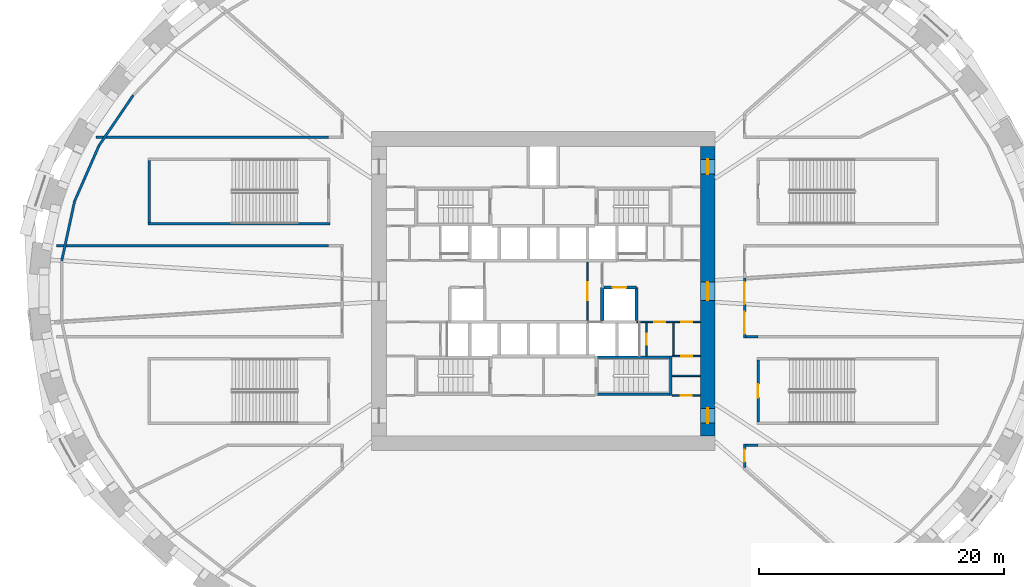
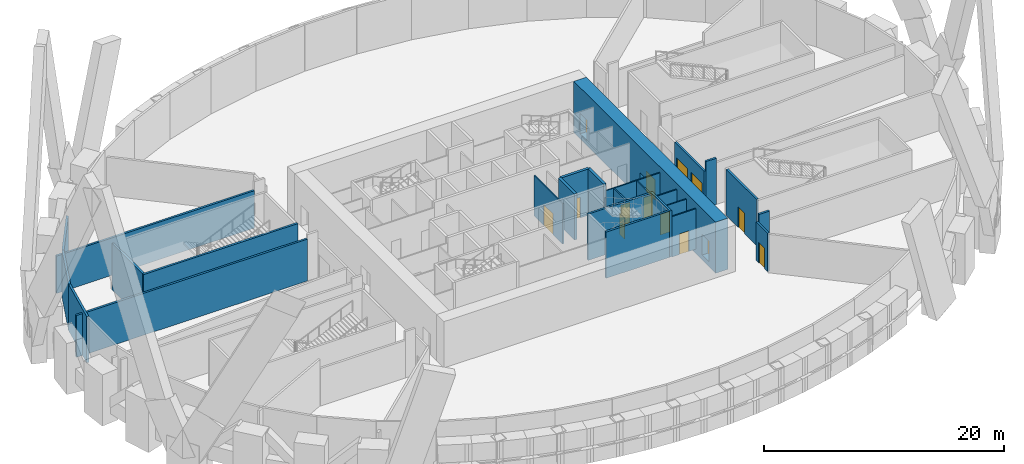
# One storey, part 8 of 16: 26 walls, 14 doors, 14 openings.
"""IFC4 building model written with IfcOpenShell, lengths in metres."""

import ifcopenshell
import ifcopenshell.guid

model = None  # the IFC model being written
_history = None  # IfcOwnerHistory: only IFC2X3 demands one
_inside = {}  # id of a spatial element -> (the spatial element, [elements in it])
_under = {}  # id of a project, library or spatial element -> (it, [spatial elements below it])
_declared = {}  # id of a project -> (the project, [libraries it declares])
_typed = {}  # id of a type object -> (the type object, [elements of that type])
_made_of = {}  # id of a material, layer set ... -> (it, [elements and type objects made of it])


def new_model(schema):
    """Start an empty IFC model of exactly this schema.

    Asked for "IFC4X3", IfcOpenShell would pick the latest addendum, in which some entities
    have other attributes; the version numbers below select the first issue.
    IFC2X3 requires an IfcOwnerHistory on every rooted entity: one is made here for all.
    """
    global model, _history
    if schema == "IFC4X3":
        model = ifcopenshell.file(schema_version=(4, 3, 0, 0))
    else:
        model = ifcopenshell.file(schema=schema)
    _inside.clear()
    _under.clear()
    _declared.clear()
    _typed.clear()
    _made_of.clear()
    _history = None
    if model.schema == "IFC2X3":
        org = make("IfcOrganization", Name="unknown")
        user = make(
            "IfcPersonAndOrganization",
            ThePerson=make("IfcPerson", FamilyName="unknown"),
            TheOrganization=org,
        )
        app = make(
            "IfcApplication",
            ApplicationDeveloper=org,
            Version="unknown",
            ApplicationFullName="unknown",
            ApplicationIdentifier="unknown",
        )
        _history = make(
            "IfcOwnerHistory",
            OwningUser=user,
            OwningApplication=app,
            ChangeAction="ADDED",
            CreationDate=0,
        )
    return model


def make(cls, **values):
    """One entity of the class cls with the attributes given. An attribute that is None is left unset."""
    return model.create_entity(
        cls, **{name: value for name, value in values.items() if value is not None}
    )


def rooted(cls, **values):
    """An entity with a GlobalId (a new one), such as an element, a storey or a relation."""
    return make(cls, GlobalId=ifcopenshell.guid.new(), OwnerHistory=_history, **values)


def si_unit(unit_type, name, prefix=None):
    """IfcSIUnit, for example si_unit("LENGTHUNIT", "METRE", prefix="MILLI")."""
    return make("IfcSIUnit", UnitType=unit_type, Prefix=prefix, Name=name)


def assignment(units):
    """IfcUnitAssignment: the units of a project."""
    return None if units is None else make("IfcUnitAssignment", Units=units)


def point(xyz):
    """IfcCartesianPoint."""
    return None if xyz is None else make("IfcCartesianPoint", Coordinates=xyz)


def direction(xyz):
    """IfcDirection."""
    return None if xyz is None else make("IfcDirection", DirectionRatios=xyz)


def frame(location, z_axis=None, x_axis=None):
    """IfcAxis2Placement3D, a coordinate frame: its origin and axes. An axis left out is left unset."""
    return make(
        "IfcAxis2Placement3D",
        Location=point(location),
        Axis=direction(z_axis),
        RefDirection=direction(x_axis),
    )


def frame_2d(location, x_axis=None):
    """IfcAxis2Placement2D, a coordinate frame in the plane: its origin and x axis."""
    return make(
        "IfcAxis2Placement2D", Location=point(location), RefDirection=direction(x_axis)
    )


def origin():
    """The frame at (0, 0, 0) with its axes left unset."""
    return frame((0.0, 0.0, 0.0))


def place(relative_to, where):
    """IfcLocalPlacement: puts the frame where relative to a parent placement (None: the world)."""
    return make(
        "IfcLocalPlacement", PlacementRelTo=relative_to, RelativePlacement=where
    )


def context(
    kind, dimensions, precision=None, world=None, true_north=None, identifier=None
):
    """IfcGeometricRepresentationContext, for example the 3D "Model" context."""
    return make(
        "IfcGeometricRepresentationContext",
        ContextIdentifier=identifier,
        ContextType=kind,
        CoordinateSpaceDimension=dimensions,
        Precision=precision,
        WorldCoordinateSystem=world,
        TrueNorth=true_north,
    )


def subcontext(parent, identifier, kind, view, scale=None):
    """IfcGeometricRepresentationSubContext, for example "Body" below "Model"."""
    return make(
        "IfcGeometricRepresentationSubContext",
        ContextIdentifier=identifier,
        ContextType=kind,
        ParentContext=parent,
        TargetScale=scale,
        TargetView=view,
    )


def project(units=None, contexts=None):
    """IfcProject with its units and contexts."""
    return rooted(
        "IfcProject",
        Name="project",
        RepresentationContexts=contexts,
        UnitsInContext=assignment(units),
    )


def spatial(cls, under=None, at=None, **own):
    """A site, building, storey or space (cls), placed at a placement, below another one or the project."""
    s = rooted(cls, ObjectPlacement=at, **own)
    if under is not None:
        _under.setdefault(under.id(), (under, []))[1].append(s)
    return s


def profile(cls, at=None, kind="AREA", **sizes):
    """A parametric profile (cls). Its sizes go by their IFC names, for example OverallWidth=200.0."""
    return make(cls, ProfileType=kind, Position=at, **sizes)


def rectangle(**sizes):
    """IfcRectangleProfileDef."""
    return profile("IfcRectangleProfileDef", **sizes)


def extrude(swept, where, along, depth):
    """IfcExtrudedAreaSolid: the profile swept, set in the frame where, extruded along a direction by depth."""
    return make(
        "IfcExtrudedAreaSolid",
        SweptArea=swept,
        Position=where,
        ExtrudedDirection=direction(along),
        Depth=depth,
    )


def shape(context_of_items, identifier, shape_type, items):
    """IfcShapeRepresentation: the items that make up one representation, for example the "Body"."""
    return make(
        "IfcShapeRepresentation",
        ContextOfItems=context_of_items,
        RepresentationIdentifier=identifier,
        RepresentationType=shape_type,
        Items=items,
    )


def source(mapping_origin, context_of_items, identifier, shape_type, items):
    """IfcRepresentationMap: a shape defined once, which mapped items show again and again."""
    return make(
        "IfcRepresentationMap",
        MappingOrigin=mapping_origin,
        MappedRepresentation=shape(context_of_items, identifier, shape_type, items),
    )


def transform(
    local_origin,
    x_axis=None,
    y_axis=None,
    z_axis=None,
    scale=None,
    scale2=None,
    scale3=None,
    uniform=True,
):
    """IfcCartesianTransformationOperator3D, or its non-uniform kind. x_axis, y_axis, z_axis: its Axis1, 2, 3."""
    if uniform:
        return make(
            "IfcCartesianTransformationOperator3D",
            Axis1=direction(x_axis),
            Axis2=direction(y_axis),
            LocalOrigin=point(local_origin),
            Scale=scale,
            Axis3=direction(z_axis),
        )
    return make(
        "IfcCartesianTransformationOperator3DnonUniform",
        Axis1=direction(x_axis),
        Axis2=direction(y_axis),
        LocalOrigin=point(local_origin),
        Scale=scale,
        Axis3=direction(z_axis),
        Scale2=scale2,
        Scale3=scale3,
    )


def mapped(mapping_source, mapping_target):
    """IfcMappedItem: shows the shape of a source again, moved by a transform."""
    return make(
        "IfcMappedItem", MappingSource=mapping_source, MappingTarget=mapping_target
    )


def material(Name=None, Category=None):
    """IfcMaterial."""
    return make("IfcMaterial", Name=Name, Category=Category)


def layer(
    of_material, thickness, ventilated=None, Name=None, Category=None, Priority=None
):
    """IfcMaterialLayer: one layer of a wall or slab, of a material (None: an air gap)."""
    return make(
        "IfcMaterialLayer",
        Material=of_material,
        LayerThickness=thickness,
        IsVentilated=ventilated,
        Name=Name,
        Category=Category,
        Priority=Priority,
    )


def layer_set(layers, Name=None):
    """IfcMaterialLayerSet."""
    return make("IfcMaterialLayerSet", MaterialLayers=layers, LayerSetName=Name)


def made_of(thing, what):
    """Note that an element or type object is made of a material, layer set ...; save() writes the relation."""
    if what is not None:
        _made_of.setdefault(what.id(), (what, []))[1].append(thing)
    return thing


def type_object(cls, material=None, **own):
    """A type object (cls), such as IfcWallType, which elements share."""
    return made_of(rooted(cls, **own), material)


def element(
    cls,
    number,
    at=None,
    inside=None,
    cuts=None,
    type_object=None,
    material=None,
    context=None,
    identifier="Body",
    shape_type=None,
    held_by="IfcProductDefinitionShape",
    body=None,
    shapes=None,
    **own,
):
    """One element of the class cls, such as IfcWall. Its Tag is "e" and its number.

    at: its placement. inside: the storey or other place that contains it. cuts: it is an
    opening in that element (IfcRelVoidsElement). A single representation is given by context,
    identifier, shape_type and body (its items); several are given by shapes. held_by: the class
    of the entity that holds the representations. save() writes the other relations.
    """
    e = rooted(cls, Tag="e%d" % number, ObjectPlacement=at, **own)
    if body is not None:
        shapes = [shape(context, identifier, shape_type, body)]
    if shapes is not None:
        e.Representation = make(held_by, Representations=shapes)
    if inside is not None:
        _inside.setdefault(inside.id(), (inside, []))[1].append(e)
    if cuts is not None:
        rooted(
            "IfcRelVoidsElement", RelatingBuildingElement=cuts, RelatedOpeningElement=e
        )
    if type_object is not None:
        _typed.setdefault(type_object.id(), (type_object, []))[1].append(e)
    return made_of(e, material)


def fill(opening, filler):
    """IfcRelFillsElement: the door or window that sits in an opening."""
    return rooted(
        "IfcRelFillsElement",
        RelatingOpeningElement=opening,
        RelatedBuildingElement=filler,
    )


def aggregate(whole, parts):
    """IfcRelAggregates: a whole, such as a stair, and the parts it consists of."""
    return rooted("IfcRelAggregates", RelatingObject=whole, RelatedObjects=parts)


def save(model, path):
    """Write the relations noted so far, then the file.

    IfcRelAggregates (storeys below a building ...), IfcRelContainedInSpatialStructure (elements
    in a storey), IfcRelDefinesByType, IfcRelAssociatesMaterial and IfcRelDeclares: one each for
    every whole, place, type object, material and project.
    """
    for whole, parts in _under.values():
        aggregate(whole, parts)
    for where, things in _inside.values():
        rooted(
            "IfcRelContainedInSpatialStructure",
            RelatedElements=things,
            RelatingStructure=where,
        )
    for kind, things in _typed.values():
        rooted("IfcRelDefinesByType", RelatedObjects=things, RelatingType=kind)
    for what, things in _made_of.values():
        rooted("IfcRelAssociatesMaterial", RelatedObjects=things, RelatingMaterial=what)
    for by, libraries in _declared.values():
        rooted("IfcRelDeclares", RelatingContext=by, RelatedDefinitions=libraries)
    model.write(path)


model = new_model("IFC4")

# Units and contexts
model_context = context("Model", 3, precision=1e-05, world=origin(), true_north=direction((0.0, 1.0)))
body_context = subcontext(model_context, "Body", "Model", "MODEL_VIEW")
ifc_project = project(units=[si_unit("LENGTHUNIT", "METRE"), si_unit("AREAUNIT", "SQUARE_METRE"), si_unit("VOLUMEUNIT", "CUBIC_METRE"), si_unit("PLANEANGLEUNIT", "RADIAN"), si_unit("MASSUNIT", "GRAM", prefix="KILO")], contexts=[model_context])

# Site, building, storey
site_placement = place(None, origin())
site = spatial("IfcSite", under=ifc_project, at=site_placement, CompositionType="ELEMENT")
building_placement = place(site_placement, origin())
building = spatial("IfcBuilding", under=site, at=building_placement, Name="Embergate Tower", CompositionType="ELEMENT")
storey_placement = place(building_placement, frame((0.0, 0.0, 24.0)))
storey = spatial("IfcBuildingStorey", under=building, at=storey_placement, Name="L02", CompositionType="ELEMENT", Elevation=24.0)

# Wall, openings, doors
ifc_material_1 = material(Name="Concrete C80", Category="concrete")
ifc_layer_1 = layer(ifc_material_1, 1.199951171875)
ifc_layer_set_1 = layer_set([ifc_layer_1], Name="Concrete C80")
wall_type_1 = type_object("IfcWallType", Name="Core outer wall C80 1200", PredefinedType="SHEAR", material=ifc_layer_set_1)
shared_shape_1 = source(origin(), body_context, "Body", "SweptSolid", [
    extrude(rectangle(XDim=23.60009765625, YDim=1.199951171875, at=frame_2d((11.800048828125, 0.0))), origin(), (0.0, 0.0, 1.0), 5.199951171875),
])
wall_1_placement = place(storey_placement, frame((13.39990234375, -11.800048828125, -0.5), z_axis=(0.0, 0.0, 1.0), x_axis=(0.0, 1.0, 0.0)))
wall_1 = element("IfcWall", 1, at=wall_1_placement, inside=storey, type_object=wall_type_1, Name="CW-L02-E", PredefinedType="SHEAR", context=body_context, shape_type="MappedRepresentation", body=[
    mapped(shared_shape_1, transform((0.0, 0.0, 0.0))),
])
shared_shape_2 = source(origin(), body_context, "Body", "SweptSolid", [
    extrude(rectangle(XDim=1.199951171875, YDim=2.10009765625, at=frame_2d((0.60009765625, 1.050048828125))), frame((0.0, 0.60986328125, 0.0), z_axis=(0.0, -1.0, 0.0), x_axis=(1.0, 0.0, 0.0)), (0.0, 0.0, 1.0), 1.219970703125),
])
opening_1_placement = place(wall_1_placement, frame((21.35009765625, 0.0, 0.5)))
opening_1 = element("IfcOpeningElement", 2, at=opening_1_placement, cuts=wall_1, Name="Opening IF-1", PredefinedType="OPENING", context=body_context, shape_type="MappedRepresentation", body=[
    mapped(shared_shape_2, transform((0.0, 0.0, 0.0))),
])
opening_2_placement = place(wall_1_placement, frame((1.050048828125, 0.0, 0.5)))
opening_2 = element("IfcOpeningElement", 3, at=opening_2_placement, cuts=wall_1, Name="Opening IF-1", PredefinedType="OPENING", context=body_context, shape_type="MappedRepresentation", body=[
    mapped(shared_shape_2, transform((0.0, 0.0, 0.0))),
])
shared_shape_3 = source(origin(), body_context, "Body", "SweptSolid", [
    extrude(rectangle(XDim=1.5, YDim=2.10009765625, at=frame_2d((0.75, 1.050048828125))), frame((0.0, 0.60986328125, 0.0), z_axis=(0.0, -1.0, 0.0), x_axis=(1.0, 0.0, 0.0)), (0.0, 0.0, 1.0), 1.219970703125),
])
opening_3_placement = place(wall_1_placement, frame((11.050048828125, 0.0, 0.5)))
opening_3 = element("IfcOpeningElement", 4, at=opening_3_placement, cuts=wall_1, Name="Opening IF-3", PredefinedType="OPENING", context=body_context, shape_type="MappedRepresentation", body=[
    mapped(shared_shape_3, transform((0.0, 0.0, 0.0))),
])
ifc_material_2 = material(Name="Escape fire door 1200")
door_type_1 = type_object("IfcDoorType", Name="Escape fire door 1200", OperationType="SINGLE_SWING_LEFT", PredefinedType="DOOR", material=ifc_material_2)
shared_shape_4 = source(origin(), body_context, "Body", "SweptSolid", [
    extrude(rectangle(XDim=1.199951171875, YDim=2.10009765625, at=frame_2d((0.60009765625, 1.050048828125))), frame((0.0, 0.02490234375, 0.0), z_axis=(0.0, -1.0, 0.0), x_axis=(1.0, 0.0, 0.0)), (0.0, 0.0, 1.0), 0.050048828125),
])
door_1_placement = place(opening_1_placement, origin())
door_1 = element("IfcDoor", 5, at=door_1_placement, inside=storey, type_object=door_type_1, Name="IF-1 door", OperationType="SINGLE_SWING_RIGHT", OverallHeight=2.10009765625, OverallWidth=1.199951171875, PredefinedType="DOOR", context=body_context, shape_type="MappedRepresentation", body=[
    mapped(shared_shape_4, transform((0.0, 0.0, 0.0))),
])
fill(opening_1, door_1)
door_2_placement = place(opening_2_placement, origin())
door_2 = element("IfcDoor", 6, at=door_2_placement, inside=storey, type_object=door_type_1, Name="IF-1 door", OperationType="SINGLE_SWING_RIGHT", OverallHeight=2.10009765625, OverallWidth=1.199951171875, PredefinedType="DOOR", context=body_context, shape_type="MappedRepresentation", body=[
    mapped(shared_shape_4, transform((0.0, 0.0, 0.0))),
])
fill(opening_2, door_2)
ifc_material_3 = material(Name="Lobby fire door pair 1500")
door_type_2 = type_object("IfcDoorType", Name="Lobby fire door pair 1500", OperationType="DOUBLE_DOOR_SINGLE_SWING", PredefinedType="DOOR", material=ifc_material_3)
shared_shape_5 = source(origin(), body_context, "Body", "SweptSolid", [
    extrude(rectangle(XDim=1.5, YDim=2.10009765625, at=frame_2d((0.75, 1.050048828125))), frame((0.0, 0.02490234375, 0.0), z_axis=(0.0, -1.0, 0.0), x_axis=(1.0, 0.0, 0.0)), (0.0, 0.0, 1.0), 0.050048828125),
])
door_3_placement = place(opening_3_placement, origin())
door_3 = element("IfcDoor", 7, at=door_3_placement, inside=storey, type_object=door_type_2, Name="IF-3 door", OperationType="DOUBLE_DOOR_SINGLE_SWING", OverallHeight=2.10009765625, OverallWidth=1.5, PredefinedType="DOOR", context=body_context, shape_type="MappedRepresentation", body=[
    mapped(shared_shape_5, transform((0.0, 0.0, 0.0))),
])
fill(opening_3, door_3)

# Walls
ifc_material_4 = material(Name="Terracotta louvre cladding on insulated backing", Category="masonry")
ifc_layer_2 = layer(ifc_material_4, 0.199951171875)
ifc_layer_set_2 = layer_set([ifc_layer_2], Name="Terracotta louvre cladding on insulated backing")
wall_type_2 = type_object("IfcWallType", Name="Terracotta louvre wall", PredefinedType="SOLIDWALL", material=ifc_layer_set_2)
shared_shape_6 = source(origin(), body_context, "Body", "SweptSolid", [
    extrude(rectangle(XDim=4.9365234375, YDim=0.199951171875, at=frame_2d((2.46826171875, 0.0))), origin(), (0.0, 0.0, 1.0), 4.699951171875),
])
wall_2_placement = place(storey_placement, frame((-39.26123046875, 2.486572265625, 0.0), z_axis=(0.0, 0.0, 1.0), x_axis=(0.210390283852, 0.97761747553, 0.0)))
element("IfcWall", 8, at=wall_2_placement, inside=storey, type_object=wall_type_2, Name="Louvre wall 21", PredefinedType="SOLIDWALL", context=body_context, shape_type="MappedRepresentation", body=[
    mapped(shared_shape_6, transform((0.0, 0.0, 0.0))),
])
shared_shape_7 = source(origin(), body_context, "Body", "SweptSolid", [
    extrude(rectangle(XDim=4.943603515625, YDim=0.199951171875, at=frame_2d((2.4716796875, 0.0))), origin(), (0.0, 0.0, 1.0), 4.699951171875),
])
wall_3_placement = place(storey_placement, frame((-38.216552734375, 7.331298828125, 0.0), z_axis=(0.0, 0.0, 1.0), x_axis=(0.401647689183, 0.91579426389, 0.0)))
element("IfcWall", 9, at=wall_3_placement, inside=storey, type_object=wall_type_2, Name="Louvre wall 20", PredefinedType="SOLIDWALL", context=body_context, shape_type="MappedRepresentation", body=[
    mapped(shared_shape_7, transform((0.0, 0.0, 0.0))),
])
shared_shape_8 = source(origin(), body_context, "Body", "SweptSolid", [
    extrude(rectangle(XDim=4.95263671875, YDim=0.199951171875, at=frame_2d((2.476318359375, 0.0))), origin(), (0.0, 0.0, 1.0), 4.699951171875),
])
wall_4_placement = place(storey_placement, frame((-36.22119140625, 11.876220703125, 0.0), z_axis=(0.0, 0.0, 1.0), x_axis=(0.562310021407, 0.82692650207, 0.0)))
element("IfcWall", 10, at=wall_4_placement, inside=storey, type_object=wall_type_2, Name="Louvre wall 19", PredefinedType="SOLIDWALL", context=body_context, shape_type="MappedRepresentation", body=[
    mapped(shared_shape_8, transform((0.0, 0.0, 0.0))),
])
ifc_material_5 = material(Name="Concrete C50", Category="concrete")
ifc_layer_3 = layer(ifc_material_5, 0.25)
ifc_layer_set_3 = layer_set([ifc_layer_3], Name="Concrete C50")
wall_type_3 = type_object("IfcWallType", Name="Hoistway wall reinforced concrete 250", PredefinedType="SHEAR", material=ifc_layer_set_3)
shared_shape_9 = source(origin(), body_context, "Body", "SweptSolid", [
    extrude(rectangle(XDim=2.675048828125, YDim=0.25, at=frame_2d((1.33740234375, 0.0))), origin(), (0.0, 0.0, 1.0), 4.699951171875),
])
wall_5_placement = place(storey_placement, frame((4.800048828125, -2.375, 0.0), z_axis=(0.0, 0.0, 1.0), x_axis=(0.0, 1.0, 0.0)))
element("IfcWall", 11, at=wall_5_placement, inside=storey, type_object=wall_type_3, Name="HW-1 wall", PredefinedType="SHEAR", context=body_context, shape_type="MappedRepresentation", body=[
    mapped(shared_shape_9, transform((0.0, 0.0, 0.0))),
])

# Wall, opening, door
wall_6_placement = place(storey_placement, frame((7.60009765625, 0.300048828125, 0.0), z_axis=(0.0, 0.0, 1.0), x_axis=(-1.0, 0.0, 0.0)))
wall_6 = element("IfcWall", 12, at=wall_6_placement, inside=storey, type_object=wall_type_3, Name="HW-1 wall", PredefinedType="SHEAR", context=body_context, shape_type="MappedRepresentation", body=[
    mapped(shared_shape_9, transform((0.0, 0.0, 0.0))),
])
shared_shape_10 = source(origin(), body_context, "Body", "SweptSolid", [
    extrude(rectangle(XDim=1.10009765625, YDim=2.10009765625, at=frame_2d((0.550048828125, 1.050048828125))), frame((0.0, 0.135009765625, 0.0), z_axis=(0.0, -1.0, 0.0), x_axis=(1.0, 0.0, 0.0)), (0.0, 0.0, 1.0), 0.27001953125),
])
opening_4_placement = place(wall_6_placement, frame((0.85009765625, 0.0, 0.0)))
opening_4 = element("IfcOpeningElement", 13, at=opening_4_placement, cuts=wall_6, Name="Opening LD", PredefinedType="OPENING", context=body_context, shape_type="MappedRepresentation", body=[
    mapped(shared_shape_10, transform((0.0, 0.0, 0.0))),
])
ifc_material_6 = material(Name="Landing door sliding 1100")
door_type_3 = type_object("IfcDoorType", Name="Landing door sliding 1100", OperationType="SLIDING_TO_LEFT", PredefinedType="DOOR", material=ifc_material_6)
shared_shape_11 = source(origin(), body_context, "Body", "SweptSolid", [
    extrude(rectangle(XDim=1.10009765625, YDim=2.10009765625, at=frame_2d((0.550048828125, 1.050048828125))), frame((0.0, 0.02490234375, 0.0), z_axis=(0.0, -1.0, 0.0), x_axis=(1.0, 0.0, 0.0)), (0.0, 0.0, 1.0), 0.050048828125),
])
door_4_placement = place(opening_4_placement, origin())
door_4 = element("IfcDoor", 14, at=door_4_placement, inside=storey, type_object=door_type_3, Name="LD door", OperationType="SLIDING_TO_RIGHT", OverallHeight=2.10009765625, OverallWidth=1.10009765625, PredefinedType="DOOR", context=body_context, shape_type="MappedRepresentation", body=[
    mapped(shared_shape_11, transform((0.0, 0.0, 0.0))),
])
fill(opening_4, door_4)

# Walls
wall_7_placement = place(storey_placement, frame((7.60009765625, -2.375, 0.0), z_axis=(0.0, 0.0, 1.0), x_axis=(0.0, 1.0, 0.0)))
element("IfcWall", 15, at=wall_7_placement, inside=storey, type_object=wall_type_3, Name="HW-1 wall", PredefinedType="SHEAR", context=body_context, shape_type="MappedRepresentation", body=[
    mapped(shared_shape_9, transform((0.0, 0.0, 0.0))),
])
ifc_layer_4 = layer(ifc_material_5, 0.199951171875)
ifc_layer_set_4 = layer_set([ifc_layer_4], Name="Concrete C50")
wall_type_4 = type_object("IfcWallType", Name="Stair enclosure wall reinforced concrete 250", PredefinedType="SHEAR", material=ifc_layer_set_4)
shared_shape_12 = source(origin(), body_context, "Body", "SweptSolid", [
    extrude(rectangle(XDim=6.300048828125, YDim=0.199951171875, at=frame_2d((3.14990234375, 0.0))), origin(), (0.0, 0.0, 1.0), 4.699951171875),
])
for number, where, z_axis, x_axis, name in (
    (16, (4.199951171875, -5.39990234375, 0.0), (0.0, 0.0, 1.0), (1.0, 0.0, 0.0), "SE-1 wall"),
    (17, (4.199951171875, -8.39990234375, 0.0), (0.0, 0.0, 1.0), (1.0, 0.0, 0.0), "SE-1 wall"),
):
    element("IfcWall", number, at=place(storey_placement, frame(where, z_axis=z_axis, x_axis=x_axis)), inside=storey, type_object=wall_type_4, Name=name, PredefinedType="SHEAR", context=body_context, shape_type="MappedRepresentation", body=[
        mapped(shared_shape_12, transform((0.0, 0.0, 0.0))),
    ])

# Wall, opening, door
ifc_material_7 = material(Name="Core partition blockwork 120")
ifc_layer_5 = layer(ifc_material_7, 0.1201171875)
ifc_layer_set_5 = layer_set([ifc_layer_5], Name="Core partition blockwork 120")
wall_type_5 = type_object("IfcWallType", Name="Core partition blockwork 120", PredefinedType="PARTITIONING", material=ifc_layer_set_5)
shared_shape_13 = source(origin(), body_context, "Body", "SweptSolid", [
    extrude(rectangle(XDim=2.739990234375, YDim=0.1201171875, at=frame_2d((1.3701171875, 0.0))), origin(), (0.0, 0.0, 1.0), 4.10009765625),
])
wall_8_placement = place(storey_placement, frame((8.39990234375, -5.300048828125, 0.0), z_axis=(0.0, 0.0, 1.0), x_axis=(0.0, 1.0, 0.0)))
wall_8 = element("IfcWall", 18, at=wall_8_placement, inside=storey, type_object=wall_type_5, Name="IP-3 wall", PredefinedType="PARTITIONING", context=body_context, shape_type="MappedRepresentation", body=[
    mapped(shared_shape_13, transform((0.0, 0.0, 0.0))),
])
shared_shape_14 = source(origin(), body_context, "Body", "SweptSolid", [
    extrude(rectangle(XDim=0.89990234375, YDim=2.10009765625, at=frame_2d((0.449951171875, 1.050048828125))), frame((0.0, 0.070068359375, 0.0), z_axis=(0.0, -1.0, 0.0), x_axis=(1.0, 0.0, 0.0)), (0.0, 0.0, 1.0), 0.14013671875),
])
opening_5_placement = place(wall_8_placement, frame((0.949951171875, 0.0, 0.0)))
opening_5 = element("IfcOpeningElement", 19, at=opening_5_placement, cuts=wall_8, Name="Opening ID-1", PredefinedType="OPENING", context=body_context, shape_type="MappedRepresentation", body=[
    mapped(shared_shape_14, transform((0.0, 0.0, 0.0))),
])
ifc_material_8 = material(Name="Interior door 900")
door_type_4 = type_object("IfcDoorType", Name="Interior door 900", OperationType="SINGLE_SWING_LEFT", PredefinedType="DOOR", material=ifc_material_8)
shared_shape_15 = source(origin(), body_context, "Body", "SweptSolid", [
    extrude(rectangle(XDim=0.89990234375, YDim=2.10009765625, at=frame_2d((0.449951171875, 1.050048828125))), frame((0.0, 0.02490234375, 0.0), z_axis=(0.0, -1.0, 0.0), x_axis=(1.0, 0.0, 0.0)), (0.0, 0.0, 1.0), 0.050048828125),
])
door_5_placement = place(opening_5_placement, origin())
door_5 = element("IfcDoor", 20, at=door_5_placement, inside=storey, type_object=door_type_4, Name="ID-1 door", OperationType="SINGLE_SWING_RIGHT", OverallHeight=2.10009765625, OverallWidth=0.89990234375, PredefinedType="DOOR", context=body_context, shape_type="MappedRepresentation", body=[
    mapped(shared_shape_15, transform((0.0, 0.0, 0.0))),
])
fill(opening_5, door_5)

# Wall, openings, doors
shared_shape_16 = source(origin(), body_context, "Body", "SweptSolid", [
    extrude(rectangle(XDim=5.199951171875, YDim=0.1201171875, at=frame_2d((2.60009765625, 0.0))), origin(), (0.0, 0.0, 1.0), 4.10009765625),
])
wall_9_placement = place(storey_placement, frame((12.800048828125, -2.5, 0.0), z_axis=(0.0, 0.0, 1.0), x_axis=(-1.0, 0.0, 0.0)))
wall_9 = element("IfcWall", 21, at=wall_9_placement, inside=storey, type_object=wall_type_5, Name="IP-3 wall", PredefinedType="PARTITIONING", context=body_context, shape_type="MappedRepresentation", body=[
    mapped(shared_shape_16, transform((0.0, 0.0, 0.0))),
])
opening_6_placement = place(wall_9_placement, frame((2.85009765625, 0.0, 0.0)))
opening_6 = element("IfcOpeningElement", 22, at=opening_6_placement, cuts=wall_9, Name="Opening ID-1", PredefinedType="OPENING", context=body_context, shape_type="MappedRepresentation", body=[
    mapped(shared_shape_14, transform((0.0, 0.0, 0.0))),
])
opening_7_placement = place(wall_9_placement, frame((0.64990234375, 0.0, 0.0)))
opening_7 = element("IfcOpeningElement", 23, at=opening_7_placement, cuts=wall_9, Name="Opening ID-1", PredefinedType="OPENING", context=body_context, shape_type="MappedRepresentation", body=[
    mapped(shared_shape_14, transform((0.0, 0.0, 0.0))),
])
door_6_placement = place(opening_6_placement, origin())
door_6 = element("IfcDoor", 24, at=door_6_placement, inside=storey, type_object=door_type_4, Name="ID-1 door", OperationType="SINGLE_SWING_LEFT", OverallHeight=2.10009765625, OverallWidth=0.89990234375, PredefinedType="DOOR", context=body_context, shape_type="MappedRepresentation", body=[
    mapped(shared_shape_15, transform((0.0, 0.0, 0.0))),
])
fill(opening_6, door_6)
door_7_placement = place(opening_7_placement, origin())
door_7 = element("IfcDoor", 25, at=door_7_placement, inside=storey, type_object=door_type_4, Name="ID-1 door", OperationType="SINGLE_SWING_LEFT", OverallHeight=2.10009765625, OverallWidth=0.89990234375, PredefinedType="DOOR", context=body_context, shape_type="MappedRepresentation", body=[
    mapped(shared_shape_15, transform((0.0, 0.0, 0.0))),
])
fill(opening_7, door_7)

# Wall, opening, door
shared_shape_17 = source(origin(), body_context, "Body", "SweptSolid", [
    extrude(rectangle(XDim=4.75, YDim=0.1201171875, at=frame_2d((2.375, 0.0))), origin(), (0.0, 0.0, 1.0), 4.10009765625),
])
wall_10_placement = place(storey_placement, frame((3.60009765625, -2.375, 0.0), z_axis=(0.0, 0.0, 1.0), x_axis=(0.0, 1.0, 0.0)))
wall_10 = element("IfcWall", 26, at=wall_10_placement, inside=storey, type_object=wall_type_5, Name="IP-3 wall", PredefinedType="PARTITIONING", context=body_context, shape_type="MappedRepresentation", body=[
    mapped(shared_shape_17, transform((0.0, 0.0, 0.0))),
])
shared_shape_18 = source(origin(), body_context, "Body", "SweptSolid", [
    extrude(rectangle(XDim=1.5, YDim=2.10009765625, at=frame_2d((0.75, 1.050048828125))), frame((0.0, 0.070068359375, 0.0), z_axis=(0.0, -1.0, 0.0), x_axis=(1.0, 0.0, 0.0)), (0.0, 0.0, 1.0), 0.14013671875),
])
opening_8_placement = place(wall_10_placement, frame((1.625, 0.0, 0.0)))
opening_8 = element("IfcOpeningElement", 27, at=opening_8_placement, cuts=wall_10, Name="Opening IF-3", PredefinedType="OPENING", context=body_context, shape_type="MappedRepresentation", body=[
    mapped(shared_shape_18, transform((0.0, 0.0, 0.0))),
])
door_8_placement = place(opening_8_placement, origin())
door_8 = element("IfcDoor", 28, at=door_8_placement, inside=storey, type_object=door_type_2, Name="IF-3 door", OperationType="DOUBLE_DOOR_SINGLE_SWING", OverallHeight=2.10009765625, OverallWidth=1.5, PredefinedType="DOOR", context=body_context, shape_type="MappedRepresentation", body=[
    mapped(shared_shape_5, transform((0.0, 0.0, 0.0))),
])
fill(opening_8, door_8)

# Wall
shared_shape_19 = source(origin(), body_context, "Body", "SweptSolid", [
    extrude(rectangle(XDim=3.199951171875, YDim=0.199951171875, at=frame_2d((1.60009765625, 0.0))), origin(), (0.0, 0.0, 1.0), 4.699951171875),
])
wall_11_placement = place(storey_placement, frame((10.39990234375, -8.5, 0.0), z_axis=(0.0, 0.0, 1.0), x_axis=(0.0, 1.0, 0.0)))
element("IfcWall", 29, at=wall_11_placement, inside=storey, type_object=wall_type_4, Name="SE-1 wall", PredefinedType="SHEAR", context=body_context, shape_type="MappedRepresentation", body=[
    mapped(shared_shape_19, transform((0.0, 0.0, 0.0))),
])

# Wall, opening, door
shared_shape_20 = source(origin(), body_context, "Body", "SweptSolid", [
    extrude(rectangle(XDim=2.300048828125, YDim=0.1201171875, at=frame_2d((1.14990234375, 0.0))), origin(), (0.0, 0.0, 1.0), 4.10009765625),
])
wall_12_placement = place(storey_placement, frame((12.800048828125, -8.5, 0.0), z_axis=(0.0, 0.0, 1.0), x_axis=(-1.0, 0.0, 0.0)))
wall_12 = element("IfcWall", 30, at=wall_12_placement, inside=storey, type_object=wall_type_5, Name="IP-3 wall", PredefinedType="PARTITIONING", context=body_context, shape_type="MappedRepresentation", body=[
    mapped(shared_shape_20, transform((0.0, 0.0, 0.0))),
])
opening_9_placement = place(wall_12_placement, frame((0.699951171875, 0.0, 0.0)))
opening_9 = element("IfcOpeningElement", 31, at=opening_9_placement, cuts=wall_12, Name="Opening ID-1", PredefinedType="OPENING", context=body_context, shape_type="MappedRepresentation", body=[
    mapped(shared_shape_14, transform((0.0, 0.0, 0.0))),
])
door_9_placement = place(opening_9_placement, origin())
door_9 = element("IfcDoor", 32, at=door_9_placement, inside=storey, type_object=door_type_4, Name="ID-1 door", OperationType="SINGLE_SWING_RIGHT", OverallHeight=2.10009765625, OverallWidth=0.89990234375, PredefinedType="DOOR", context=body_context, shape_type="MappedRepresentation", body=[
    mapped(shared_shape_15, transform((0.0, 0.0, 0.0))),
])
fill(opening_9, door_9)

wall_13_placement = place(storey_placement, frame((10.5, -5.300048828125, 0.0), z_axis=(0.0, 0.0, 1.0), x_axis=(1.0, 0.0, 0.0)))
wall_13 = element("IfcWall", 33, at=wall_13_placement, inside=storey, type_object=wall_type_5, Name="IP-3 wall", PredefinedType="PARTITIONING", context=body_context, shape_type="MappedRepresentation", body=[
    mapped(shared_shape_20, transform((0.0, 0.0, 0.0))),
])
opening_10_placement = place(wall_13_placement, frame((0.75, 0.0, 0.0)))
opening_10 = element("IfcOpeningElement", 34, at=opening_10_placement, cuts=wall_13, Name="Opening ID-1", PredefinedType="OPENING", context=body_context, shape_type="MappedRepresentation", body=[
    mapped(shared_shape_14, transform((0.0, 0.0, 0.0))),
])
door_10_placement = place(opening_10_placement, origin())
door_10 = element("IfcDoor", 35, at=door_10_placement, inside=storey, type_object=door_type_4, Name="ID-1 door", OperationType="SINGLE_SWING_LEFT", OverallHeight=2.10009765625, OverallWidth=0.89990234375, PredefinedType="DOOR", context=body_context, shape_type="MappedRepresentation", body=[
    mapped(shared_shape_15, transform((0.0, 0.0, 0.0))),
])
fill(opening_10, door_10)

# Walls
wall_14_placement = place(storey_placement, frame((12.800048828125, -6.89990234375, 0.0), z_axis=(0.0, 0.0, 1.0), x_axis=(-1.0, 0.0, 0.0)))
element("IfcWall", 36, at=wall_14_placement, inside=storey, type_object=wall_type_5, Name="IP-3 wall", PredefinedType="PARTITIONING", context=body_context, shape_type="MappedRepresentation", body=[
    mapped(shared_shape_20, transform((0.0, 0.0, 0.0))),
])
shared_shape_21 = source(origin(), body_context, "Body", "SweptSolid", [
    extrude(rectangle(XDim=2.679931640625, YDim=0.1201171875, at=frame_2d((1.33984375, 0.0))), origin(), (0.0, 0.0, 1.0), 4.10009765625),
])
wall_15_placement = place(storey_placement, frame((10.60009765625, -5.239990234375, 0.0), z_axis=(0.0, 0.0, 1.0), x_axis=(0.0, 1.0, 0.0)))
element("IfcWall", 37, at=wall_15_placement, inside=storey, type_object=wall_type_5, Name="IP-3 wall", PredefinedType="PARTITIONING", context=body_context, shape_type="MappedRepresentation", body=[
    mapped(shared_shape_21, transform((0.0, 0.0, 0.0))),
])
ifc_material_9 = material(Name="Blockwork, plastered", Category="masonry")
ifc_layer_6 = layer(ifc_material_9, 0.199951171875)
ifc_layer_set_6 = layer_set([ifc_layer_6], Name="Blockwork, plastered")
wall_type_6 = type_object("IfcWallType", Name="Fire partition wall 200 block", PredefinedType="PARTITIONING", material=ifc_layer_set_6)
shared_shape_22 = source(origin(), body_context, "Body", "SweptSolid", [
    extrude(rectangle(XDim=22.196044921875, YDim=0.199951171875, at=frame_2d((11.09814453125, 0.0))), origin(), (0.0, 0.0, 1.0), 4.25),
])
wall_16_placement = place(storey_placement, frame((-39.696044921875, 3.699951171875, 0.0), z_axis=(0.0, 0.0, 1.0), x_axis=(1.0, 0.0, 0.0)))
element("IfcWall", 38, at=wall_16_placement, inside=storey, type_object=wall_type_6, Name="Partition 001", PredefinedType="PARTITIONING", context=body_context, shape_type="MappedRepresentation", body=[
    mapped(shared_shape_22, transform((0.0, 0.0, 0.0))),
])
ifc_material_10 = material(Name="Concrete C40", Category="concrete")
ifc_layer_7 = layer(ifc_material_10, 0.199951171875)
ifc_layer_set_7 = layer_set([ifc_layer_7], Name="Concrete C40")
wall_type_7 = type_object("IfcWallType", Name="Stair enclosure wall RC 200", PredefinedType="STANDARD", material=ifc_layer_set_7)
shared_shape_23 = source(origin(), body_context, "Body", "SweptSolid", [
    extrude(rectangle(XDim=5.0498046875, YDim=0.199951171875, at=frame_2d((2.52490234375, 0.0))), origin(), (0.0, 0.0, 1.0), 4.699951171875),
])
wall_17_placement = place(storey_placement, frame((-32.1201171875, 5.60009765625, 0.0), z_axis=(0.0, 0.0, 1.0), x_axis=(0.0, 1.0, 0.0)))
element("IfcWall", 39, at=wall_17_placement, inside=storey, type_object=wall_type_7, Name="Stair wall 005", PredefinedType="STANDARD", context=body_context, shape_type="MappedRepresentation", body=[
    mapped(shared_shape_23, transform((0.0, 0.0, 0.0))),
])

# Wall, opening, door
wall_18_placement = place(storey_placement, frame((17.5, -5.60009765625, 0.0), z_axis=(0.0, 0.0, 1.0), x_axis=(0.0, -1.0, 0.0)))
wall_18 = element("IfcWall", 40, at=wall_18_placement, inside=storey, type_object=wall_type_7, Name="Stair wall 036", PredefinedType="STANDARD", context=body_context, shape_type="MappedRepresentation", body=[
    mapped(shared_shape_23, transform((0.0, 0.0, 0.0))),
])
shared_shape_24 = source(origin(), body_context, "Body", "SweptSolid", [
    extrude(rectangle(XDim=1.10009765625, YDim=2.10009765625, at=frame_2d((0.550048828125, 1.050048828125))), frame((0.0, 0.10986328125, 0.0), z_axis=(0.0, -1.0, 0.0), x_axis=(1.0, 0.0, 0.0)), (0.0, 0.0, 1.0), 0.219970703125),
])
opening_11_placement = place(wall_18_placement, frame((1.97509765625, 0.0, 0.0)))
opening_11 = element("IfcOpeningElement", 41, at=opening_11_placement, cuts=wall_18, Name="Opening DS-057", PredefinedType="OPENING", context=body_context, shape_type="MappedRepresentation", body=[
    mapped(shared_shape_24, transform((0.0, 0.0, 0.0))),
])
ifc_material_11 = material(Name="Steel fire door leaf", Category="steel")
door_type_5 = type_object("IfcDoorType", Name="Fire door class B 1100x2100", OperationType="SINGLE_SWING_LEFT", PredefinedType="DOOR", material=ifc_material_11)
shared_shape_25 = source(origin(), body_context, "Body", "SweptSolid", [
    extrude(rectangle(XDim=1.10009765625, YDim=2.10009765625, at=frame_2d((0.550048828125, 1.050048828125))), frame((0.0, 0.02490234375, 0.0), z_axis=(0.0, -1.0, 0.0), x_axis=(1.0, 0.0, 0.0)), (0.0, 0.0, 1.0), 0.050048828125),
])
door_11_placement = place(opening_11_placement, origin())
door_11 = element("IfcDoor", 42, at=door_11_placement, inside=storey, type_object=door_type_5, Name="Door to Exit stair enclosure", OperationType="SINGLE_SWING_LEFT", OverallHeight=2.10009765625, OverallWidth=1.10009765625, PredefinedType="DOOR", context=body_context, shape_type="MappedRepresentation", body=[
    mapped(shared_shape_25, transform((0.0, 0.0, 0.0))),
])
fill(opening_11, door_11)

# Walls
shared_shape_26 = source(origin(), body_context, "Body", "SweptSolid", [
    extrude(rectangle(XDim=14.820068359375, YDim=0.199951171875, at=frame_2d((7.41015625, 0.0))), origin(), (0.0, 0.0, 1.0), 4.699951171875),
])
wall_19_placement = place(storey_placement, frame((-32.219970703125, 5.5, 0.0), z_axis=(0.0, 0.0, 1.0), x_axis=(1.0, 0.0, 0.0)))
element("IfcWall", 43, at=wall_19_placement, inside=storey, type_object=wall_type_7, Name="Stair wall 006", PredefinedType="STANDARD", context=body_context, shape_type="MappedRepresentation", body=[
    mapped(shared_shape_26, transform((0.0, 0.0, 0.0))),
])
shared_shape_27 = source(origin(), body_context, "Body", "SweptSolid", [
    extrude(rectangle(XDim=1.0, YDim=0.199951171875, at=frame_2d((0.5, 0.0))), origin(), (0.0, 0.0, 1.0), 4.699951171875),
])
for number, where, z_axis, x_axis, name in (
    (44, (16.5, -3.699951171875, 0.0), (0.0, 0.0, 1.0), (1.0, 0.0, 0.0), "Partition 026"),
    (45, (17.5, -12.550048828125, 0.0), (0.0, 0.0, 1.0), (-1.0, 0.0, 0.0), "Partition 033"),
):
    element("IfcWall", number, at=place(storey_placement, frame(where, z_axis=z_axis, x_axis=x_axis)), inside=storey, type_object=wall_type_6, Name=name, PredefinedType="PARTITIONING", context=body_context, shape_type="MappedRepresentation", body=[
        mapped(shared_shape_27, transform((0.0, 0.0, 0.0))),
    ])
shared_shape_28 = source(origin(), body_context, "Body", "SweptSolid", [
    extrude(rectangle(XDim=18.989990234375, YDim=0.199951171875, at=frame_2d((9.4951171875, 0.0))), origin(), (0.0, 0.0, 1.0), 3.800048828125),
])
wall_20_placement = place(storey_placement, frame((-17.5, 12.550048828125, 0.0), z_axis=(0.0, 0.0, 1.0), x_axis=(-1.0, 0.0, 0.0)))
element("IfcWall", 46, at=wall_20_placement, inside=storey, type_object=wall_type_6, Name="Partition 015", PredefinedType="PARTITIONING", context=body_context, shape_type="MappedRepresentation", body=[
    mapped(shared_shape_28, transform((0.0, 0.0, 0.0))),
])

# Wall, opening, door
shared_shape_29 = source(origin(), body_context, "Body", "SweptSolid", [
    extrude(rectangle(XDim=1.923095703125, YDim=0.199951171875, at=frame_2d((0.96142578125, 0.0))), origin(), (0.0, 0.0, 1.0), 3.89990234375),
])
wall_21_placement = place(storey_placement, frame((16.39990234375, -12.449951171875, 0.0), z_axis=(0.0, 0.0, 1.0), x_axis=(0.0, -1.0, 0.0)))
wall_21 = element("IfcWall", 47, at=wall_21_placement, inside=storey, type_object=wall_type_6, Name="Partition 025", PredefinedType="PARTITIONING", context=body_context, shape_type="MappedRepresentation", body=[
    mapped(shared_shape_29, transform((0.0, 0.0, 0.0))),
])
shared_shape_30 = source(origin(), body_context, "Body", "SweptSolid", [
    extrude(rectangle(XDim=1.0, YDim=2.10009765625, at=frame_2d((0.5, 1.050048828125))), frame((0.0, 0.10986328125, 0.0), z_axis=(0.0, -1.0, 0.0), x_axis=(1.0, 0.0, 0.0)), (0.0, 0.0, 1.0), 0.219970703125),
])
opening_12_placement = place(wall_21_placement, frame((0.4609375, 0.0, 0.0)))
opening_12 = element("IfcOpeningElement", 48, at=opening_12_placement, cuts=wall_21, Name="Opening DS-046", PredefinedType="OPENING", context=body_context, shape_type="MappedRepresentation", body=[
    mapped(shared_shape_30, transform((0.0, 0.0, 0.0))),
])
ifc_material_12 = material(Name="Timber door leaf, steel frame", Category="steel")
door_type_6 = type_object("IfcDoorType", Name="Single door 1000x2100", OperationType="SINGLE_SWING_LEFT", PredefinedType="DOOR", material=ifc_material_12)
shared_shape_31 = source(origin(), body_context, "Body", "SweptSolid", [
    extrude(rectangle(XDim=1.0, YDim=2.10009765625, at=frame_2d((0.5, 1.050048828125))), frame((0.0, 0.02490234375, 0.0), z_axis=(0.0, -1.0, 0.0), x_axis=(1.0, 0.0, 0.0)), (0.0, 0.0, 1.0), 0.050048828125),
])
door_12_placement = place(opening_12_placement, origin())
door_12 = element("IfcDoor", 49, at=door_12_placement, inside=storey, type_object=door_type_6, Name="Door to Refuge area", OperationType="SINGLE_SWING_LEFT", OverallHeight=2.10009765625, OverallWidth=1.0, PredefinedType="DOOR", context=body_context, shape_type="MappedRepresentation", body=[
    mapped(shared_shape_31, transform((0.0, 0.0, 0.0))),
])
fill(opening_12, door_12)

# Wall, openings, doors
shared_shape_32 = source(origin(), body_context, "Body", "SweptSolid", [
    extrude(rectangle(XDim=4.85595703125, YDim=0.199951171875, at=frame_2d((2.427978515625, 0.0))), origin(), (0.0, 0.0, 1.0), 3.800048828125),
])
wall_22_placement = place(storey_placement, frame((16.39990234375, 1.055908203125, 0.0), z_axis=(0.0, 0.0, 1.0), x_axis=(0.0, -1.0, 0.0)))
wall_22 = element("IfcWall", 50, at=wall_22_placement, inside=storey, type_object=wall_type_6, Name="Partition 027", PredefinedType="PARTITIONING", context=body_context, shape_type="MappedRepresentation", body=[
    mapped(shared_shape_32, transform((0.0, 0.0, 0.0))),
])
shared_shape_33 = source(origin(), body_context, "Body", "SweptSolid", [
    extrude(rectangle(XDim=1.800048828125, YDim=2.39990234375, at=frame_2d((0.89990234375, 1.199951171875))), frame((0.0, 0.10986328125, 0.0), z_axis=(0.0, -1.0, 0.0), x_axis=(1.0, 0.0, 0.0)), (0.0, 0.0, 1.0), 0.219970703125),
])
opening_13_placement = place(wall_22_placement, frame((0.31396484375, 0.0, 0.0)))
opening_13 = element("IfcOpeningElement", 51, at=opening_13_placement, cuts=wall_22, Name="Opening DS-047", PredefinedType="OPENING", context=body_context, shape_type="MappedRepresentation", body=[
    mapped(shared_shape_33, transform((0.0, 0.0, 0.0))),
])
opening_14_placement = place(wall_22_placement, frame((2.741943359375, 0.0, 0.0)))
opening_14 = element("IfcOpeningElement", 52, at=opening_14_placement, cuts=wall_22, Name="Opening DS-048", PredefinedType="OPENING", context=body_context, shape_type="MappedRepresentation", body=[
    mapped(shared_shape_33, transform((0.0, 0.0, 0.0))),
])
door_type_7 = type_object("IfcDoorType", Name="Double door 1800x2400", OperationType="DOUBLE_DOOR_SINGLE_SWING", PredefinedType="DOOR", material=ifc_material_12)
shared_shape_34 = source(origin(), body_context, "Body", "SweptSolid", [
    extrude(rectangle(XDim=1.800048828125, YDim=2.39990234375, at=frame_2d((0.89990234375, 1.199951171875))), frame((0.0, 0.02490234375, 0.0), z_axis=(0.0, -1.0, 0.0), x_axis=(1.0, 0.0, 0.0)), (0.0, 0.0, 1.0), 0.050048828125),
])
door_13_placement = place(opening_13_placement, origin())
door_13 = element("IfcDoor", 53, at=door_13_placement, inside=storey, type_object=door_type_7, Name="Door to Refuge area", OperationType="SINGLE_SWING_LEFT", OverallHeight=2.39990234375, OverallWidth=1.800048828125, PredefinedType="DOOR", context=body_context, shape_type="MappedRepresentation", body=[
    mapped(shared_shape_34, transform((0.0, 0.0, 0.0))),
])
fill(opening_13, door_13)
door_14_placement = place(opening_14_placement, origin())
door_14 = element("IfcDoor", 54, at=door_14_placement, inside=storey, type_object=door_type_7, Name="Door to Refuge area", OperationType="SINGLE_SWING_LEFT", OverallHeight=2.39990234375, OverallWidth=1.800048828125, PredefinedType="DOOR", context=body_context, shape_type="MappedRepresentation", body=[
    mapped(shared_shape_34, transform((0.0, 0.0, 0.0))),
])
fill(opening_14, door_14)

save(model, "model.ifc")
